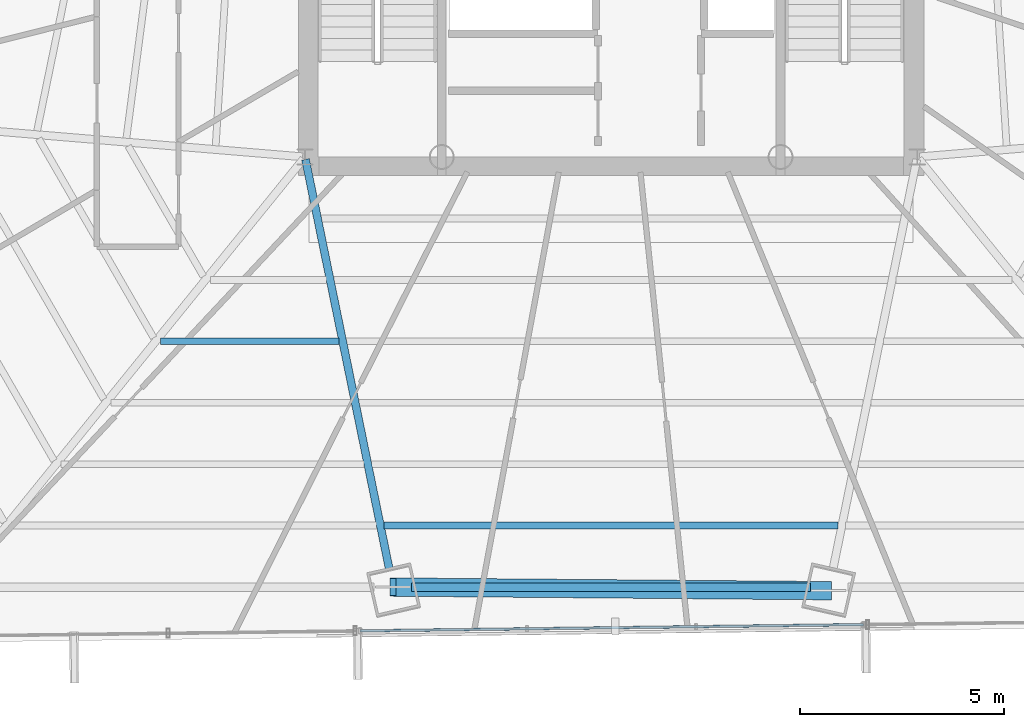
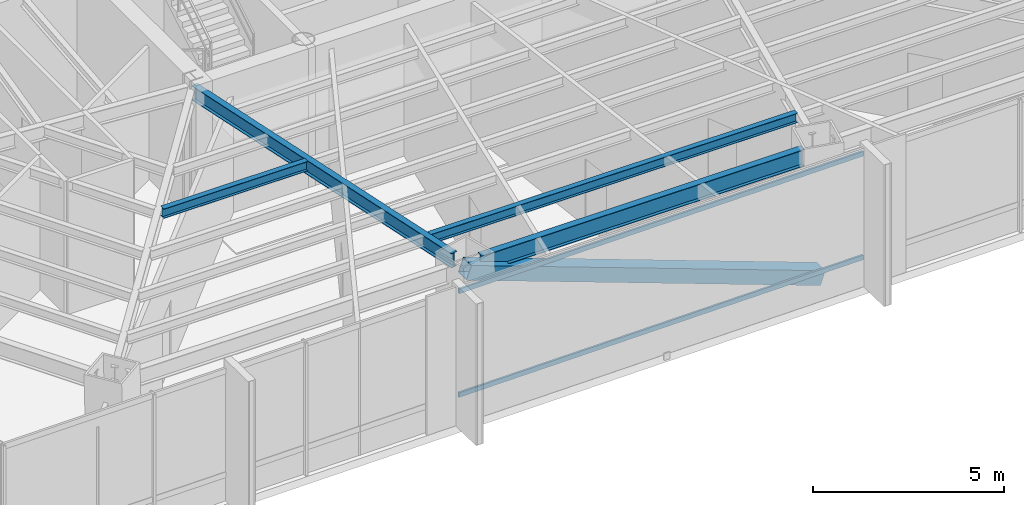
# One storey, part 7 of 37: 4 beams, 3 members, 1 element without a shape of its own.
"""IFC4 building model written with IfcOpenShell, lengths in metres."""

from ifc_helpers import new_model, si_unit, direction, frame, origin, origin_2d, place, context, subcontext, project, spatial, hollow_rectangle, i_section, extrude, source, transform, mapped, material, material_profile, profile_set, type_object, type_shapes, element, aggregate, save


model = new_model("IFC4")

# Units and contexts
model_context = context("Model", 3, precision=1e-05, world=origin(), true_north=direction((0.0, 1.0)))
body_context = subcontext(model_context, "Body", "Model", "MODEL_VIEW")
ifc_project = project(units=[si_unit("LENGTHUNIT", "METRE"), si_unit("AREAUNIT", "SQUARE_METRE"), si_unit("VOLUMEUNIT", "CUBIC_METRE"), si_unit("PLANEANGLEUNIT", "RADIAN"), si_unit("MASSUNIT", "GRAM", prefix="KILO")], contexts=[model_context])

# Site, building, storey
site_placement = place(None, origin())
site = spatial("IfcSite", under=ifc_project, at=site_placement, CompositionType="ELEMENT")
building_placement = place(site_placement, origin())
building = spatial("IfcBuilding", under=site, at=building_placement, Name="Caelisora Broadcast Tower", CompositionType="ELEMENT")
storey_placement = place(building_placement, frame((0.0, 0.0, 127.300048828125)))
storey = spatial("IfcBuildingStorey", under=building, at=storey_placement, Name="L33", CompositionType="ELEMENT", Elevation=127.300048828125)

# Beams
ifc_material_1 = material(Name="Steel Grade 350 (AS/NZS 3679.1)", Category="steel")
ifc_material_profile_1 = material_profile(ifc_material_1, i_section(OverallWidth=0.208984375, OverallDepth=0.532958984375, WebThickness=0.01025390625, FlangeThickness=0.015625, at=origin_2d()), Name="Steel Grade 350 (AS/NZS 3679.1)")
ifc_profile_set_1 = profile_set([ifc_material_profile_1], Name="Steel Grade 350 (AS/NZS 3679.1)")
beam_type_1 = type_object("IfcBeamType", Name="PG05", PredefinedType="BEAM", material=ifc_profile_set_1)
shared_shape_1 = source(origin(), body_context, "Body", "SweptSolid", [
    extrude(i_section(OverallWidth=0.208984375, OverallDepth=0.532958984375, WebThickness=0.01025390625, FlangeThickness=0.015625, at=origin_2d()), origin(), (0.0, 0.0, 1.0), 9.7705078125),
])
type_shapes(beam_type_1, [shared_shape_1])
beam_1_placement = place(storey_placement, frame((33.11474609375, 6.864013671875, 3.9833984375), z_axis=(1.0, 0.0, 0.0), x_axis=(0.0, 1.0, 0.0)))
element("IfcBeam", 1, at=beam_1_placement, inside=storey, type_object=beam_type_1, Name="L33 beam PG05", PredefinedType="BEAM", context=body_context, shape_type="MappedRepresentation", body=[
    mapped(shared_shape_1, transform((0.0, 0.0, 0.0), scale=1.0)),
])
ifc_material_profile_2 = material_profile(ifc_material_1, i_section(OverallWidth=0.19091796875, OverallDepth=0.46044921875, WebThickness=0.010009765625, FlangeThickness=0.01611328125, at=origin_2d()), Name="Steel Grade 350 (AS/NZS 3679.1)")
ifc_profile_set_2 = profile_set([ifc_material_profile_2], Name="Steel Grade 350 (AS/NZS 3679.1)")
beam_type_2 = type_object("IfcBeamType", Name="PG06", PredefinedType="BEAM", material=ifc_profile_set_2)
shared_shape_2 = source(origin(), body_context, "Body", "SweptSolid", [
    extrude(i_section(OverallWidth=0.19091796875, OverallDepth=0.46044921875, WebThickness=0.010009765625, FlangeThickness=0.01611328125, at=origin_2d()), origin(), (0.0, 0.0, 1.0), 10.274169921875),
])
type_shapes(beam_type_2, [shared_shape_2])
beam_2_placement = place(storey_placement, frame((30.511962890625, 17.34130859375, 4.019775390625), z_axis=(0.20036409738, -0.979721505572, 0.0), x_axis=(0.979721505572, 0.20036409738, 0.0)))
element("IfcBeam", 2, at=beam_2_placement, inside=storey, type_object=beam_type_2, Name="L33 beam PG06", PredefinedType="BEAM", context=body_context, shape_type="MappedRepresentation", body=[
    mapped(shared_shape_2, transform((0.0, 0.0, 0.0), scale=1.0)),
])
ifc_material_profile_3 = material_profile(ifc_material_1, i_section(OverallWidth=0.166015625, OverallDepth=0.30712890625, WebThickness=0.006591796875, FlangeThickness=0.01171875, at=origin_2d()), Name="Steel Grade 350 (AS/NZS 3679.1)")
ifc_profile_set_3 = profile_set([ifc_material_profile_3], Name="Steel Grade 350 (AS/NZS 3679.1)")
beam_type_3 = type_object("IfcBeamType", Name="SB03", PredefinedType="JOIST", material=ifc_profile_set_3)
shared_shape_3 = source(origin(), body_context, "Body", "SweptSolid", [
    extrude(i_section(OverallWidth=0.166015625, OverallDepth=0.30712890625, WebThickness=0.006591796875, FlangeThickness=0.01171875, at=origin_2d()), origin(), (0.0, 0.0, 1.0), 4.367431640625),
])
beam_3_placement = place(storey_placement, frame((26.961669921875, 12.884521484375, 4.096435546875), z_axis=(1.0, 0.0, 0.0), x_axis=(0.0, 1.0, 0.0)))
element("IfcBeam", 3, at=beam_3_placement, inside=storey, type_object=beam_type_3, Name="L33 beam SB03", PredefinedType="JOIST", context=body_context, shape_type="MappedRepresentation", body=[
    mapped(shared_shape_3, transform((0.0, 0.0, 0.0), scale=1.0)),
])
shared_shape_4 = source(origin(), body_context, "Body", "SweptSolid", [
    extrude(i_section(OverallWidth=0.166015625, OverallDepth=0.30712890625, WebThickness=0.006591796875, FlangeThickness=0.01171875, at=origin_2d()), origin(), (0.0, 0.0, 1.0), 11.1171875),
])
type_shapes(beam_type_3, [shared_shape_3, shared_shape_4])
beam_4_placement = place(storey_placement, frame((32.44140625, 8.369140625, 4.096435546875), z_axis=(1.0, 0.0, 0.0), x_axis=(0.0, 1.0, 0.0)))
element("IfcBeam", 4, at=beam_4_placement, inside=storey, type_object=beam_type_3, Name="L33 beam SB03", PredefinedType="JOIST", context=body_context, shape_type="MappedRepresentation", body=[
    mapped(shared_shape_4, transform((0.0, 0.0, 0.0), scale=1.0)),
])

# Member
ifc_material_2 = material(Name="Steel Grade 450 (AS/NZS 1163 C450L0)", Category="steel")
ifc_material_profile_4 = material_profile(ifc_material_2, hollow_rectangle(XDim=0.449951171875, YDim=0.449951171875, WallThickness=0.01611328125, at=origin_2d()), Name="Steel Grade 450 (AS/NZS 1163 C450L0)")
ifc_profile_set_4 = profile_set([ifc_material_profile_4], Name="Steel Grade 450 (AS/NZS 1163 C450L0)")
member_type_1 = type_object("IfcMemberType", Name="BR03", PredefinedType="BRACE", material=ifc_profile_set_4)
shared_shape_5 = source(origin(), body_context, "Body", "SweptSolid", [
    extrude(hollow_rectangle(XDim=0.449951171875, YDim=0.449951171875, WallThickness=0.01611328125, at=origin_2d()), origin(), (0.0, 0.0, 1.0), 11.343994140625),
])
type_shapes(member_type_1, [shared_shape_5])
member_1_placement = place(storey_placement, frame((32.65478515625, 6.864013671875, 3.949951171875), z_axis=(0.940609835242, -0.007855453377, -0.339398629488), x_axis=(0.008351155975, 0.999965128489, 0.0)))
element("IfcMember", 5, at=member_1_placement, inside=storey, type_object=member_type_1, Name="L33 perimeter brace BR03", PredefinedType="BRACE", context=body_context, shape_type="MappedRepresentation", body=[
    mapped(shared_shape_5, transform((0.0, 0.0, 0.0), scale=1.0)),
])

# Curtain wall, members
ifc_material_3 = material(Name="Unitised Aluminium Insulated Shadow-Box Spandrel Curtain Wall", Category="aluminium")
curtain_wall_type = type_object("IfcCurtainWallType", Name="CW-SP2", PredefinedType="NOTDEFINED", material=ifc_material_3)
curtain_wall_placement = place(storey_placement, origin())
curtain_wall = element("IfcCurtainWall", 6, at=curtain_wall_placement, inside=storey, type_object=curtain_wall_type, Name="L33 curtain wall CW-SP2", PredefinedType="NOTDEFINED")
ifc_material_4 = material(Name="Aluminium 6063-T6 Anodised Terracotta Bronze", Category="aluminium")
ifc_material_profile_5 = material_profile(ifc_material_4, hollow_rectangle(XDim=0.06005859375, YDim=0.14990234375, WallThickness=0.00341796875, at=origin_2d()), Name="Aluminium 6063-T6 Anodised Terracotta Bronze")
ifc_profile_set_5 = profile_set([ifc_material_profile_5], Name="Aluminium 6063-T6 Anodised Terracotta Bronze")
member_type_2 = type_object("IfcMemberType", Name="CWT-02", PredefinedType="USERDEFINED", material=ifc_profile_set_5)
shared_shape_6 = source(origin(), body_context, "Body", "SweptSolid", [
    extrude(hollow_rectangle(XDim=0.06005859375, YDim=0.14990234375, WallThickness=0.00341796875, at=origin_2d()), origin(), (0.0, 0.0, 1.0), 12.339111328125),
])
type_shapes(member_type_2, [shared_shape_6])
member_2_placement = place(storey_placement, frame((44.180419921875, 5.944580078125, 0.849853515625), z_axis=(-0.99992156545, -0.012524493954, 0.0), x_axis=(0.012524493954, -0.99992156545, 0.0)))
member_2 = element("IfcMember", 7, at=member_2_placement, type_object=member_type_2, Name="L33-CW-B06 transom #1", ObjectType="TRANSOM", PredefinedType="USERDEFINED", context=body_context, shape_type="MappedRepresentation", body=[
    mapped(shared_shape_6, transform((0.0, 0.0, 0.0), scale=1.0)),
])
member_3_placement = place(storey_placement, frame((44.180419921875, 5.944580078125, 4.169921875), z_axis=(-0.99992156545, -0.012524493954, 0.0), x_axis=(0.012524493954, -0.99992156545, 0.0)))
member_3 = element("IfcMember", 8, at=member_3_placement, type_object=member_type_2, Name="L33-CW-B06 transom #2", ObjectType="TRANSOM", PredefinedType="USERDEFINED", context=body_context, shape_type="MappedRepresentation", body=[
    mapped(shared_shape_6, transform((0.0, 0.0, 0.0), scale=1.0)),
])
aggregate(curtain_wall, [member_2, member_3])

save(model, "model.ifc")
